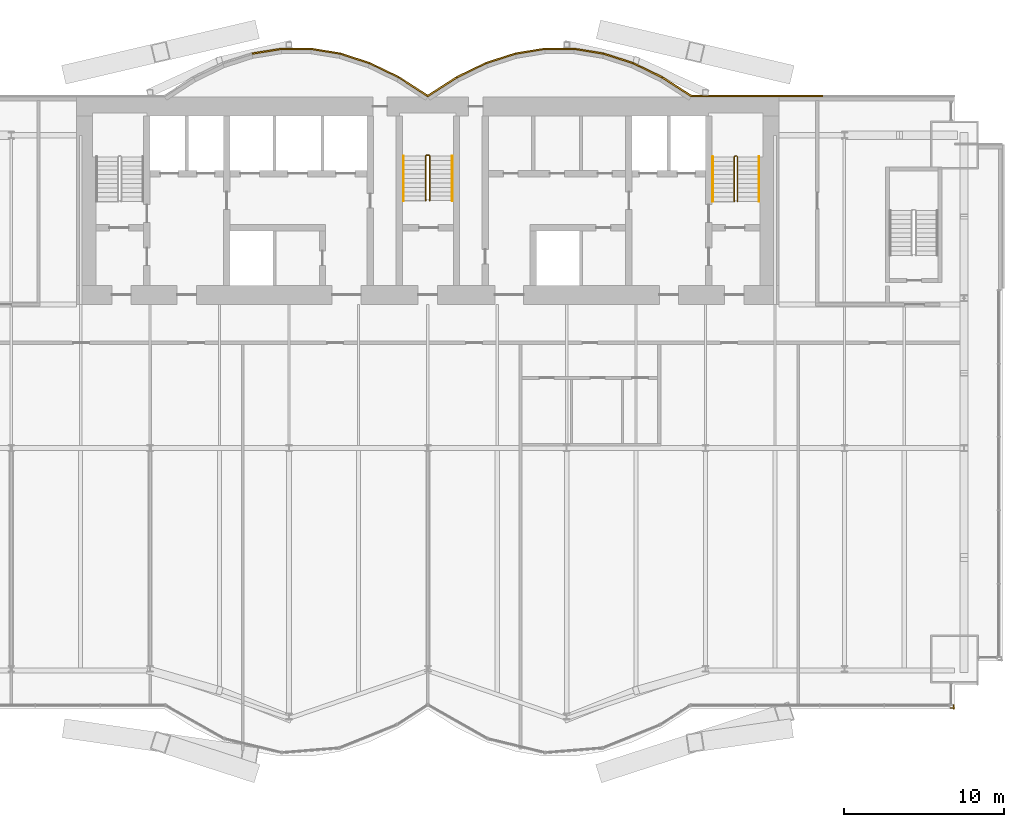
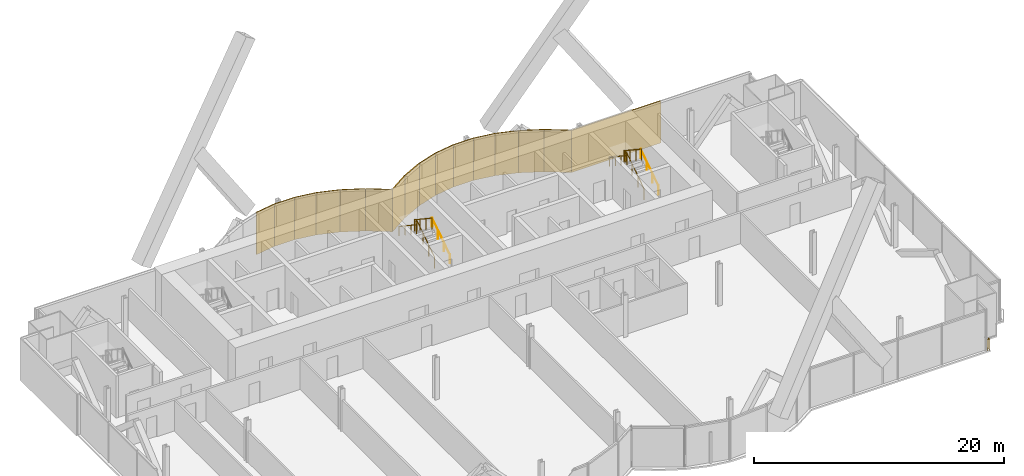
# One storey, part 21 of 22: 16 coverings, 7 railings.
"""IFC4 building model written with IfcOpenShell, lengths in metres."""

from ifc_helpers import new_model, si_unit, direction, frame, origin, origin_2d, place, context, subcontext, project, spatial, rectangle, circle, extrude, material, layer, layer_set, type_object, element, save


model = new_model("IFC4")

# Units and contexts
model_context = context("Model", 3, precision=1e-05, world=origin(), true_north=direction((0.0, 1.0)))
body_context = subcontext(model_context, "Body", "Model", "MODEL_VIEW")
ifc_project = project(units=[si_unit("LENGTHUNIT", "METRE"), si_unit("AREAUNIT", "SQUARE_METRE"), si_unit("VOLUMEUNIT", "CUBIC_METRE"), si_unit("PLANEANGLEUNIT", "RADIAN"), si_unit("MASSUNIT", "GRAM", prefix="KILO")], contexts=[model_context])

# Site, building, storey
site_placement = place(None, origin())
site = spatial("IfcSite", under=ifc_project, at=site_placement, CompositionType="ELEMENT")
building_placement = place(site_placement, origin())
building = spatial("IfcBuilding", under=site, at=building_placement, Name="Bicima Exchange Tower", CompositionType="ELEMENT")
storey_placement = place(building_placement, frame((0.0, 0.0, 102.199951171875)))
storey = spatial("IfcBuildingStorey", under=building, at=storey_placement, Name="L21", CompositionType="ELEMENT", Elevation=102.199951171875)

# Coverings
ifc_material_1 = material(Name="Bronze metal cladding")
ifc_layer_1 = layer(ifc_material_1, 0.004)
ifc_material_2 = material(Name="Ventilated cavity")
ifc_layer_2 = layer(ifc_material_2, 0.06)
ifc_material_3 = material(Name="Galvanised steel rail and mineral wool", Category="steel")
ifc_layer_3 = layer(ifc_material_3, 0.036)
ifc_layer_set = layer_set([ifc_layer_1, ifc_layer_2, ifc_layer_3], Name="Ventilated cavity")
covering_type = type_object("IfcCoveringType", Name="Bronze metal cladding panel 100", PredefinedType="CLADDING", material=ifc_layer_set)
covering_1_placement = place(storey_placement, frame((20.625, 0.050048828125, -0.14990234375), z_axis=(0.0, 0.0, 1.0), x_axis=(-1.0, 0.0, 0.0)))
element("IfcCovering", 1, at=covering_1_placement, inside=storey, type_object=covering_type, Name="Bronze cladding L21 1.2", PredefinedType="CLADDING", context=body_context, shape_type="SweptSolid", body=[
    extrude(rectangle(XDim=8.25, YDim=0.10009765625, at=origin_2d()), origin(), (0.0, 0.0, 1.0), 4.10009765625),
])
covering_2_placement = place(storey_placement, frame((15.610595703125, 0.634521484375, -0.14990234375), z_axis=(0.0, 0.0, 1.0), x_axis=(-0.839790466384, 0.542910648791, 0.0)))
element("IfcCovering", 2, at=covering_2_placement, inside=storey, type_object=covering_type, Name="Bronze cladding L21 2.1", PredefinedType="CLADDING", context=body_context, shape_type="SweptSolid", body=[
    extrude(rectangle(XDim=2.18310546875, YDim=0.10009765625, at=origin_2d()), origin(), (0.0, 0.0, 1.0), 4.10009765625),
])
covering_3_placement = place(storey_placement, frame((13.771728515625, 1.674560546875, -0.14990234375), z_axis=(0.0, 0.0, 1.0), x_axis=(-0.899818346812, 0.436264762204, 0.0)))
element("IfcCovering", 3, at=covering_3_placement, inside=storey, type_object=covering_type, Name="Bronze cladding L21 3.1", PredefinedType="CLADDING", context=body_context, shape_type="SweptSolid", body=[
    extrude(rectangle(XDim=2.03759765625, YDim=0.10009765625, at=origin_2d()), origin(), (0.0, 0.0, 1.0), 4.10009765625),
])
covering_4_placement = place(storey_placement, frame((11.931884765625, 2.41796875, -0.14990234375), z_axis=(0.0, 0.0, 1.0), x_axis=(-0.951524642381, 0.307572519808, 0.0)))
element("IfcCovering", 4, at=covering_4_placement, inside=storey, type_object=covering_type, Name="Bronze cladding L21 4.1", PredefinedType="CLADDING", context=body_context, shape_type="SweptSolid", body=[
    extrude(rectangle(XDim=1.9267578125, YDim=0.10009765625, at=origin_2d()), origin(), (0.0, 0.0, 1.0), 4.10009765625),
])
covering_5_placement = place(storey_placement, frame((10.09130859375, 2.8642578125, -0.14990234375), z_axis=(0.0, 0.0, 1.0), x_axis=(-0.987189786347, 0.159550386184, 0.0)))
element("IfcCovering", 5, at=covering_5_placement, inside=storey, type_object=covering_type, Name="Bronze cladding L21 5.1", PredefinedType="CLADDING", context=body_context, shape_type="SweptSolid", body=[
    extrude(rectangle(XDim=1.857177734375, YDim=0.10009765625, at=origin_2d()), origin(), (0.0, 0.0, 1.0), 4.10009765625),
])
covering_6_placement = place(storey_placement, frame((8.25, 3.012939453125, -0.14990234375), z_axis=(0.0, 0.0, 1.0), x_axis=(-1.0, 0.0, 0.0)))
element("IfcCovering", 6, at=covering_6_placement, inside=storey, type_object=covering_type, Name="Bronze cladding L21 6.1", PredefinedType="CLADDING", context=body_context, shape_type="SweptSolid", body=[
    extrude(rectangle(XDim=1.83349609375, YDim=0.10009765625, at=origin_2d()), origin(), (0.0, 0.0, 1.0), 4.10009765625),
])
covering_7_placement = place(storey_placement, frame((6.40869140625, 2.8642578125, -0.14990234375), z_axis=(0.0, 0.0, 1.0), x_axis=(-0.987189786347, -0.159550386184, 0.0)))
element("IfcCovering", 7, at=covering_7_placement, inside=storey, type_object=covering_type, Name="Bronze cladding L21 7.1", PredefinedType="CLADDING", context=body_context, shape_type="SweptSolid", body=[
    extrude(rectangle(XDim=1.857177734375, YDim=0.10009765625, at=origin_2d()), origin(), (0.0, 0.0, 1.0), 4.10009765625),
])
covering_8_placement = place(storey_placement, frame((4.568115234375, 2.41796875, -0.14990234375), z_axis=(0.0, 0.0, 1.0), x_axis=(-0.951524642381, -0.307572519808, 0.0)))
element("IfcCovering", 8, at=covering_8_placement, inside=storey, type_object=covering_type, Name="Bronze cladding L21 8.1", PredefinedType="CLADDING", context=body_context, shape_type="SweptSolid", body=[
    extrude(rectangle(XDim=1.9267578125, YDim=0.10009765625, at=origin_2d()), origin(), (0.0, 0.0, 1.0), 4.10009765625),
])
covering_9_placement = place(storey_placement, frame((2.728271484375, 1.674560546875, -0.14990234375), z_axis=(0.0, 0.0, 1.0), x_axis=(-0.899818346812, -0.436264762204, 0.0)))
element("IfcCovering", 9, at=covering_9_placement, inside=storey, type_object=covering_type, Name="Bronze cladding L21 9.1", PredefinedType="CLADDING", context=body_context, shape_type="SweptSolid", body=[
    extrude(rectangle(XDim=2.03759765625, YDim=0.10009765625, at=origin_2d()), origin(), (0.0, 0.0, 1.0), 4.10009765625),
])
for number, where, z_axis, x_axis, name in (
    (10, (0.889404296875, 0.634521484375, -0.14990234375), (0.0, 0.0, 1.0), (-0.839790466384, -0.542910648791, 0.0), "Bronze cladding L21 10.1"),
    (11, (-0.889404296875, 0.634521484375, -0.14990234375), (0.0, 0.0, 1.0), (-0.839790466384, 0.542910648791, 0.0), "Bronze cladding L21 11.1"),
):
    element("IfcCovering", number, at=place(storey_placement, frame(where, z_axis=z_axis, x_axis=x_axis)), inside=storey, type_object=covering_type, Name=name, PredefinedType="CLADDING", context=body_context, shape_type="SweptSolid", body=[
        extrude(rectangle(XDim=2.18310546875, YDim=0.10009765625, at=origin_2d()), origin(), (0.0, 0.0, 1.0), 4.10009765625),
    ])
covering_10_placement = place(storey_placement, frame((-2.728271484375, 1.674560546875, -0.14990234375), z_axis=(0.0, 0.0, 1.0), x_axis=(-0.899818346812, 0.436264762204, 0.0)))
element("IfcCovering", 12, at=covering_10_placement, inside=storey, type_object=covering_type, Name="Bronze cladding L21 12.1", PredefinedType="CLADDING", context=body_context, shape_type="SweptSolid", body=[
    extrude(rectangle(XDim=2.03759765625, YDim=0.10009765625, at=origin_2d()), origin(), (0.0, 0.0, 1.0), 4.10009765625),
])
covering_11_placement = place(storey_placement, frame((-4.568115234375, 2.41796875, -0.14990234375), z_axis=(0.0, 0.0, 1.0), x_axis=(-0.951524642381, 0.307572519808, 0.0)))
element("IfcCovering", 13, at=covering_11_placement, inside=storey, type_object=covering_type, Name="Bronze cladding L21 13.1", PredefinedType="CLADDING", context=body_context, shape_type="SweptSolid", body=[
    extrude(rectangle(XDim=1.9267578125, YDim=0.10009765625, at=origin_2d()), origin(), (0.0, 0.0, 1.0), 4.10009765625),
])
covering_12_placement = place(storey_placement, frame((-6.40869140625, 2.8642578125, -0.14990234375), z_axis=(0.0, 0.0, 1.0), x_axis=(-0.987189786347, 0.159550386184, 0.0)))
element("IfcCovering", 14, at=covering_12_placement, inside=storey, type_object=covering_type, Name="Bronze cladding L21 14.1", PredefinedType="CLADDING", context=body_context, shape_type="SweptSolid", body=[
    extrude(rectangle(XDim=1.857177734375, YDim=0.10009765625, at=origin_2d()), origin(), (0.0, 0.0, 1.0), 4.10009765625),
])
covering_13_placement = place(storey_placement, frame((-8.25, 3.012939453125, -0.14990234375), z_axis=(0.0, 0.0, 1.0), x_axis=(-1.0, 0.0, 0.0)))
element("IfcCovering", 15, at=covering_13_placement, inside=storey, type_object=covering_type, Name="Bronze cladding L21 15.1", PredefinedType="CLADDING", context=body_context, shape_type="SweptSolid", body=[
    extrude(rectangle(XDim=1.83349609375, YDim=0.10009765625, at=origin_2d()), origin(), (0.0, 0.0, 1.0), 4.10009765625),
])
covering_14_placement = place(storey_placement, frame((-10.09130859375, 2.8642578125, -0.14990234375), z_axis=(0.0, 0.0, 1.0), x_axis=(-0.987189786347, -0.159550386184, 0.0)))
element("IfcCovering", 16, at=covering_14_placement, inside=storey, type_object=covering_type, Name="Bronze cladding L21 16.1", PredefinedType="CLADDING", context=body_context, shape_type="SweptSolid", body=[
    extrude(rectangle(XDim=1.857177734375, YDim=0.10009765625, at=origin_2d()), origin(), (0.0, 0.0, 1.0), 4.10009765625),
])

# Railings
ifc_material_4 = material(Name="Stainless steel and bonded safety glass", Category="steel")
railing_type_1 = type_object("IfcRailingType", Name="Edge guard 1100", PredefinedType="GUARDRAIL", material=ifc_material_4)
railing_1_placement = place(storey_placement, frame((32.949951171875, -38.090087890625, 0.0)))
element("IfcRailing", 17, at=railing_1_placement, inside=storey, type_object=railing_type_1, Name="Edge guard L21 100", PredefinedType="GUARDRAIL", context=body_context, shape_type="SweptSolid", body=[
    extrude(circle(Radius=0.02392578125, at=origin_2d()), frame((0.0, 0.0, 1.076171875), z_axis=(0.0, -1.0, 0.0), x_axis=(1.0, 0.0, 0.0)), (0.0, 0.0, 1.0), 0.25),
    extrude(circle(Radius=0.02392578125, at=origin_2d()), frame((0.0, -0.25, 1.076171875), z_axis=(0.707106781187, 0.707106781187, 0.0), x_axis=(-0.707106781187, 0.707106781187, 0.0)), (0.0, 0.0, 1.0), 0.07080078125),
    extrude(circle(Radius=0.02392578125, at=origin_2d()), frame((0.050048828125, -0.199951171875, 1.076171875), z_axis=(-1.0, 0.0, 0.0), x_axis=(0.0, -1.0, 0.0)), (0.0, 0.0, 1.0), 0.25),
    extrude(circle(Radius=0.02099609375, at=origin_2d()), origin(), (0.0, 0.0, 1.0), 1.052001953125),
    extrude(circle(Radius=0.02099609375, at=origin_2d()), frame((0.0, -0.25, 0.0)), (0.0, 0.0, 1.0), 1.052001953125),
    extrude(circle(Radius=0.02099609375, at=origin_2d()), frame((0.050048828125, -0.199951171875, 0.0)), (0.0, 0.0, 1.0), 1.052001953125),
    extrude(circle(Radius=0.02099609375, at=origin_2d()), frame((-0.199951171875, -0.199951171875, 0.0)), (0.0, 0.0, 1.0), 1.052001953125),
])
ifc_material_5 = material(Name="Stainless steel", Category="steel")
railing_type_2 = type_object("IfcRailingType", Name="Stair guard 1100", PredefinedType="GUARDRAIL", material=ifc_material_5)
railing_2_placement = place(storey_placement, frame((0.125, -6.5, 0.1865234375)))
element("IfcRailing", 18, at=railing_2_placement, inside=storey, type_object=railing_type_2, Name="L21 ST-C stair guard 1", PredefinedType="GUARDRAIL", context=body_context, shape_type="SweptSolid", body=[
    extrude(circle(Radius=0.02392578125, at=origin_2d()), frame((0.0, 0.0, 1.076171875), z_axis=(0.0, 0.832485552168, 0.554046753832), x_axis=(-1.0, 0.0, 0.0)), (0.0, 0.0, 1.0), 3.363525390625),
    extrude(circle(Radius=0.02392578125, at=origin_2d()), frame((0.0, 2.800048828125, 2.939453125), z_axis=(-0.707106781187, 0.707106781187, 0.0), x_axis=(-0.707106781187, -0.707106781187, 0.0)), (0.0, 0.0, 1.0), 0.07080078125),
    extrude(circle(Radius=0.02392578125, at=origin_2d()), frame((-0.050048828125, 2.85009765625, 2.939453125), z_axis=(-1.0, 0.0, 0.0), x_axis=(0.0, -1.0, 0.0)), (0.0, 0.0, 1.0), 0.14990234375),
    extrude(circle(Radius=0.02392578125, at=origin_2d()), frame((-0.199951171875, 2.85009765625, 2.939453125), z_axis=(-0.251157038772, -0.251157038772, 0.934794246747), x_axis=(0.707106781187, -0.707106781187, 0.0)), (0.0, 0.0, 1.0), 0.19921875),
    extrude(circle(Radius=0.02392578125, at=origin_2d()), frame((-0.25, 2.800048828125, 3.1259765625), z_axis=(0.0, -0.832452072856, 0.554097055034), x_axis=(1.0, 0.0, 0.0)), (0.0, 0.0, 1.0), 3.363525390625),
    extrude(circle(Radius=0.02099609375, at=origin_2d()), origin(), (0.0, 0.0, 1.0), 1.052001953125),
    extrude(circle(Radius=0.02099609375, at=origin_2d()), frame((0.0, 0.933349609375, 0.62109375)), (0.0, 0.0, 1.0), 1.052001953125),
    extrude(circle(Radius=0.02099609375, at=origin_2d()), frame((0.0, 1.86669921875, 1.242431640625)), (0.0, 0.0, 1.0), 1.052001953125),
    extrude(circle(Radius=0.02099609375, at=origin_2d()), frame((0.0, 2.800048828125, 1.863525390625)), (0.0, 0.0, 1.0), 1.052001953125),
    extrude(circle(Radius=0.02099609375, at=origin_2d()), frame((-0.050048828125, 2.85009765625, 1.863525390625)), (0.0, 0.0, 1.0), 1.052001953125),
    extrude(circle(Radius=0.02099609375, at=origin_2d()), frame((-0.199951171875, 2.85009765625, 1.863525390625)), (0.0, 0.0, 1.0), 1.052001953125),
    extrude(circle(Radius=0.02099609375, at=origin_2d()), frame((-0.25, 2.800048828125, 2.0498046875)), (0.0, 0.0, 1.0), 1.052001953125),
    extrude(circle(Radius=0.02099609375, at=origin_2d()), frame((-0.25, 1.86669921875, 2.671142578125)), (0.0, 0.0, 1.0), 1.052001953125),
    extrude(circle(Radius=0.02099609375, at=origin_2d()), frame((-0.25, 0.933349609375, 3.292236328125)), (0.0, 0.0, 1.0), 1.052001953125),
    extrude(circle(Radius=0.02099609375, at=origin_2d()), frame((-0.25, 0.0, 3.91357421875)), (0.0, 0.0, 1.0), 1.052001953125),
])
railing_3_placement = place(storey_placement, frame((19.39990234375, -6.550048828125, 0.1865234375)))
element("IfcRailing", 19, at=railing_3_placement, inside=storey, type_object=railing_type_2, Name="L21 ST-E stair guard 1", PredefinedType="GUARDRAIL", context=body_context, shape_type="SweptSolid", body=[
    extrude(circle(Radius=0.02392578125, at=origin_2d()), frame((0.0, 0.0, 1.076171875), z_axis=(0.0, 0.832485552168, 0.554046753832), x_axis=(-1.0, 0.0, 0.0)), (0.0, 0.0, 1.0), 3.363525390625),
    extrude(circle(Radius=0.02392578125, at=origin_2d()), frame((0.0, 2.800048828125, 2.939453125), z_axis=(-0.705375805398, 0.708833529934, 0.0), x_axis=(-0.708833529934, -0.705375805398, 0.0)), (0.0, 0.0, 1.0), 0.070556640625),
    extrude(circle(Radius=0.02392578125, at=origin_2d()), frame((-0.0498046875, 2.85009765625, 2.939453125), z_axis=(-1.0, 0.0, 0.0), x_axis=(0.0, -1.0, 0.0)), (0.0, 0.0, 1.0), 0.10009765625),
    extrude(circle(Radius=0.02392578125, at=origin_2d()), frame((-0.14990234375, 2.85009765625, 2.939453125), z_axis=(-0.251157038772, -0.251157038772, 0.934794246747), x_axis=(0.707106781187, -0.707106781187, 0.0)), (0.0, 0.0, 1.0), 0.19921875),
    extrude(circle(Radius=0.02392578125, at=origin_2d()), frame((-0.199951171875, 2.800048828125, 3.1259765625), z_axis=(0.0, -0.832452072856, 0.554097055034), x_axis=(1.0, 0.0, 0.0)), (0.0, 0.0, 1.0), 3.363525390625),
    extrude(circle(Radius=0.02099609375, at=origin_2d()), origin(), (0.0, 0.0, 1.0), 1.052001953125),
    extrude(circle(Radius=0.02099609375, at=origin_2d()), frame((0.0, 0.933349609375, 0.62109375)), (0.0, 0.0, 1.0), 1.052001953125),
    extrude(circle(Radius=0.02099609375, at=origin_2d()), frame((0.0, 1.86669921875, 1.242431640625)), (0.0, 0.0, 1.0), 1.052001953125),
    extrude(circle(Radius=0.02099609375, at=origin_2d()), frame((0.0, 2.800048828125, 1.863525390625)), (0.0, 0.0, 1.0), 1.052001953125),
    extrude(circle(Radius=0.02099609375, at=origin_2d()), frame((-0.0498046875, 2.85009765625, 1.863525390625)), (0.0, 0.0, 1.0), 1.052001953125),
    extrude(circle(Radius=0.02099609375, at=origin_2d()), frame((-0.14990234375, 2.85009765625, 1.863525390625)), (0.0, 0.0, 1.0), 1.052001953125),
    extrude(circle(Radius=0.02099609375, at=origin_2d()), frame((-0.199951171875, 2.800048828125, 2.0498046875)), (0.0, 0.0, 1.0), 1.052001953125),
    extrude(circle(Radius=0.02099609375, at=origin_2d()), frame((-0.199951171875, 1.86669921875, 2.671142578125)), (0.0, 0.0, 1.0), 1.052001953125),
    extrude(circle(Radius=0.02099609375, at=origin_2d()), frame((-0.199951171875, 0.933349609375, 3.292236328125)), (0.0, 0.0, 1.0), 1.052001953125),
    extrude(circle(Radius=0.02099609375, at=origin_2d()), frame((-0.199951171875, 0.0, 3.91357421875)), (0.0, 0.0, 1.0), 1.052001953125),
])
railing_type_3 = type_object("IfcRailingType", Name="Stair handrail 900", PredefinedType="HANDRAIL", material=ifc_material_5)
railing_4_placement = place(storey_placement, frame((1.52490234375, -6.5, 0.1865234375)))
element("IfcRailing", 20, at=railing_4_placement, inside=storey, type_object=railing_type_3, Name="L21 ST-C stair handrail 1", PredefinedType="HANDRAIL", context=body_context, shape_type="SweptSolid", body=[
    extrude(circle(Radius=0.02392578125, at=origin_2d()), frame((0.0, 0.0, 0.8759765625), z_axis=(0.0, 0.832485552168, 0.554046753832), x_axis=(-1.0, 0.0, 0.0)), (0.0, 0.0, 1.0), 3.363525390625),
    extrude(circle(Radius=0.02099609375, at=origin_2d()), origin(), (0.0, 0.0, 1.0), 0.851806640625),
    extrude(circle(Radius=0.02099609375, at=origin_2d()), frame((0.0, 0.933349609375, 0.62109375)), (0.0, 0.0, 1.0), 0.851806640625),
    extrude(circle(Radius=0.02099609375, at=origin_2d()), frame((0.0, 1.86669921875, 1.242431640625)), (0.0, 0.0, 1.0), 0.851806640625),
    extrude(circle(Radius=0.02099609375, at=origin_2d()), frame((0.0, 2.800048828125, 1.863525390625)), (0.0, 0.0, 1.0), 0.851806640625),
])
railing_5_placement = place(storey_placement, frame((-1.52490234375, -3.699951171875, 2.27685546875)))
element("IfcRailing", 21, at=railing_5_placement, inside=storey, type_object=railing_type_3, Name="L21 ST-C stair handrail 2", PredefinedType="HANDRAIL", context=body_context, shape_type="SweptSolid", body=[
    extrude(circle(Radius=0.02392578125, at=origin_2d()), frame((0.0, 0.0, 0.8759765625), z_axis=(0.0, -0.832485552168, 0.554046753832), x_axis=(1.0, 0.0, 0.0)), (0.0, 0.0, 1.0), 3.363525390625),
    extrude(circle(Radius=0.02099609375, at=origin_2d()), origin(), (0.0, 0.0, 1.0), 0.851806640625),
    extrude(circle(Radius=0.02099609375, at=origin_2d()), frame((0.0, -0.933349609375, 0.62109375)), (0.0, 0.0, 1.0), 0.851806640625),
    extrude(circle(Radius=0.02099609375, at=origin_2d()), frame((0.0, -1.86669921875, 1.242431640625)), (0.0, 0.0, 1.0), 0.851806640625),
    extrude(circle(Radius=0.02099609375, at=origin_2d()), frame((0.0, -2.800048828125, 1.863525390625)), (0.0, 0.0, 1.0), 0.851806640625),
])
railing_6_placement = place(storey_placement, frame((20.75, -6.550048828125, 0.1865234375)))
element("IfcRailing", 22, at=railing_6_placement, inside=storey, type_object=railing_type_3, Name="L21 ST-E stair handrail 1", PredefinedType="HANDRAIL", context=body_context, shape_type="SweptSolid", body=[
    extrude(circle(Radius=0.02392578125, at=origin_2d()), frame((0.0, 0.0, 0.8759765625), z_axis=(0.0, 0.832485552168, 0.554046753832), x_axis=(-1.0, 0.0, 0.0)), (0.0, 0.0, 1.0), 3.363525390625),
    extrude(circle(Radius=0.02099609375, at=origin_2d()), origin(), (0.0, 0.0, 1.0), 0.851806640625),
    extrude(circle(Radius=0.02099609375, at=origin_2d()), frame((0.0, 0.933349609375, 0.62109375)), (0.0, 0.0, 1.0), 0.851806640625),
    extrude(circle(Radius=0.02099609375, at=origin_2d()), frame((0.0, 1.86669921875, 1.242431640625)), (0.0, 0.0, 1.0), 0.851806640625),
    extrude(circle(Radius=0.02099609375, at=origin_2d()), frame((0.0, 2.800048828125, 1.863525390625)), (0.0, 0.0, 1.0), 0.851806640625),
])
railing_7_placement = place(storey_placement, frame((17.85009765625, -3.75, 2.27685546875)))
element("IfcRailing", 23, at=railing_7_placement, inside=storey, type_object=railing_type_3, Name="L21 ST-E stair handrail 2", PredefinedType="HANDRAIL", context=body_context, shape_type="SweptSolid", body=[
    extrude(circle(Radius=0.02392578125, at=origin_2d()), frame((0.0, 0.0, 0.8759765625), z_axis=(0.0, -0.832485552168, 0.554046753832), x_axis=(1.0, 0.0, 0.0)), (0.0, 0.0, 1.0), 3.363525390625),
    extrude(circle(Radius=0.02099609375, at=origin_2d()), origin(), (0.0, 0.0, 1.0), 0.851806640625),
    extrude(circle(Radius=0.02099609375, at=origin_2d()), frame((0.0, -0.933349609375, 0.62109375)), (0.0, 0.0, 1.0), 0.851806640625),
    extrude(circle(Radius=0.02099609375, at=origin_2d()), frame((0.0, -1.86669921875, 1.242431640625)), (0.0, 0.0, 1.0), 0.851806640625),
    extrude(circle(Radius=0.02099609375, at=origin_2d()), frame((0.0, -2.800048828125, 1.863525390625)), (0.0, 0.0, 1.0), 0.851806640625),
])

save(model, "model.ifc")
